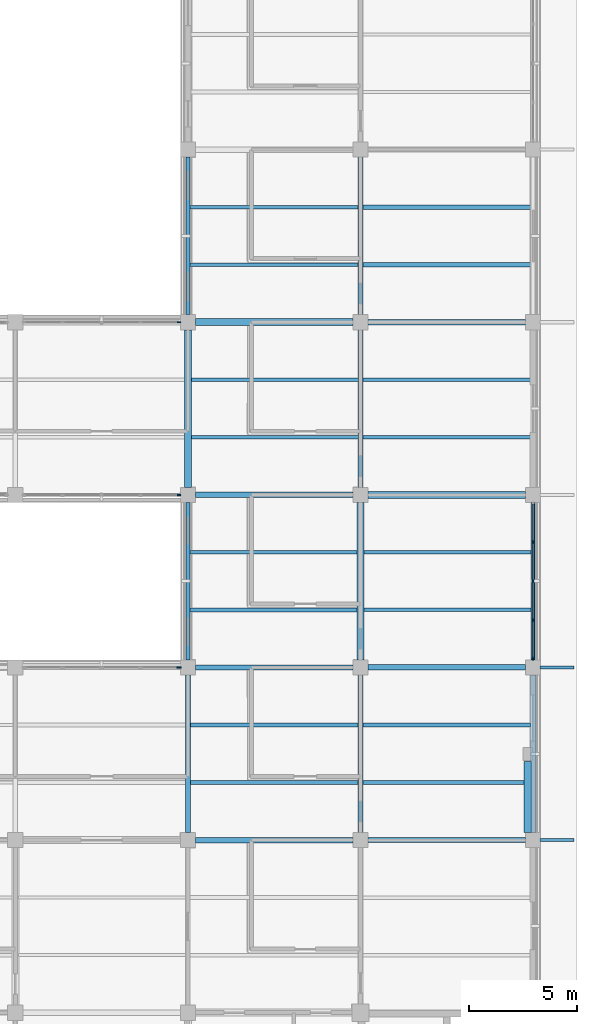
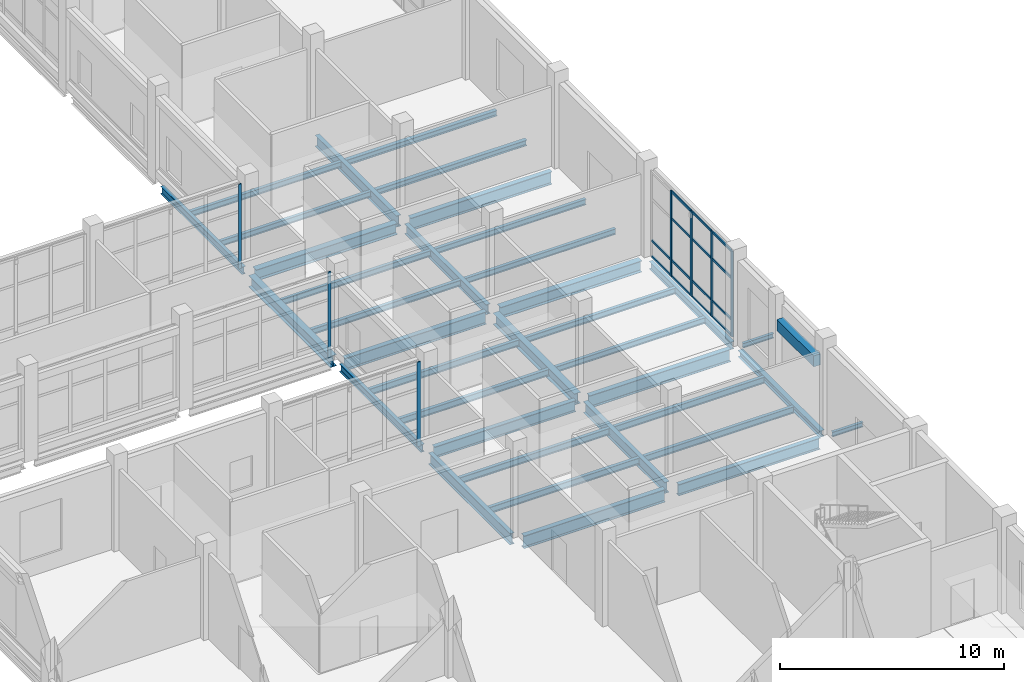
# One storey, part 40 of 105: 37 beams, 21 members, 4 elements without a shape of their own.
"""IFC4 building model written with IfcOpenShell, lengths in metres."""

from ifc_helpers import new_model, si_unit, derived_unit, direction, frame, origin, origin_2d, place, context, subcontext, project, spatial, rectangle, i_section, extrude, material, layer, layer_set, material_profile, profile_set, type_object, element, aggregate, save


model = new_model("IFC4")

# Units and contexts
model_context = context("Model", 3, precision=1e-05, world=origin(), true_north=direction((0.0, 1.0)))
body_context = subcontext(model_context, "Body", "Model", "MODEL_VIEW")
ifc_project = project(units=[si_unit("LENGTHUNIT", "METRE"), si_unit("AREAUNIT", "SQUARE_METRE"), si_unit("VOLUMEUNIT", "CUBIC_METRE"), si_unit("PLANEANGLEUNIT", "RADIAN"), si_unit("MASSUNIT", "GRAM", prefix="KILO"), derived_unit("THERMALTRANSMITTANCEUNIT", [(si_unit("MASSUNIT", "GRAM", prefix="KILO"), 1), (si_unit("TIMEUNIT", "SECOND"), -3), (si_unit("THERMODYNAMICTEMPERATUREUNIT", "KELVIN"), -1)])], contexts=[model_context])

# Site, building, storey
site_placement = place(None, origin())
site = spatial("IfcSite", under=ifc_project, at=site_placement, CompositionType="ELEMENT")
building_placement = place(site_placement, origin())
building = spatial("IfcBuilding", under=site, at=building_placement, Name="Veyamyaing Civic Hall", CompositionType="ELEMENT")
storey_placement = place(building_placement, origin())
storey = spatial("IfcBuildingStorey", under=building, at=storey_placement, Name="L00", CompositionType="ELEMENT", Elevation=0.0)

# Beams
ifc_material_1 = material(Name="Steel ASTM A992", Category="steel")
ifc_material_profile_1 = material_profile(ifc_material_1, i_section(OverallWidth=0.256103515625, OverallDepth=0.693115234375, WebThickness=0.014404296875, FlangeThickness=0.023681640625, FilletRadius=0.013916015625, at=origin_2d()), Name="W690X170")
ifc_profile_set_1 = profile_set([ifc_material_profile_1], Name="Steel ASTM A992")
beam_type_1 = type_object("IfcBeamType", Name="B-04", PredefinedType="BEAM", material=ifc_profile_set_1)
for number, where, z_axis, x_axis, name in (
    (1, (160.35009765625, 32.0, -0.611572265625), (1.0, 0.0, 0.0), (0.0, 1.0, 0.0), "Girder B-04 L00 Grid E 21-22"),
    (2, (168.35009765625, 56.0, -0.611572265625), (1.0, 0.0, 0.0), (0.0, 1.0, 0.0), "Girder B-04 L00 Grid H 22-23"),
):
    element("IfcBeam", number, at=place(storey_placement, frame(where, z_axis=z_axis, x_axis=x_axis)), inside=storey, type_object=beam_type_1, Name=name, PredefinedType="BEAM", context=body_context, shape_type="SweptSolid", body=[
        extrude(i_section(OverallWidth=0.256103515625, OverallDepth=0.693115234375, WebThickness=0.014404296875, FlangeThickness=0.023681640625, FilletRadius=0.013916015625, at=origin_2d()), origin(), (0.0, 0.0, 1.0), 7.2998046875),
    ])
ifc_material_profile_2 = material_profile(ifc_material_1, i_section(OverallWidth=0.22998046875, OverallDepth=0.616943359375, WebThickness=0.01318359375, FlangeThickness=0.022216796875, FilletRadius=0.012939453125, at=origin_2d()), Name="W610X140")
ifc_profile_set_2 = profile_set([ifc_material_profile_2], Name="Steel ASTM A992")
beam_type_2 = type_object("IfcBeamType", Name="B-05", PredefinedType="BEAM", material=ifc_profile_set_2)
for number, where, z_axis, x_axis, name in (
    (3, (168.35009765625, 32.0, -0.573486328125), (1.0, 0.0, 0.0), (0.0, 1.0, 0.0), "Girder B-05 L00 Grid E 22-23"),
    (4, (160.35009765625, 40.0, -0.573486328125), (1.0, 0.0, 0.0), (0.0, 1.0, 0.0), "Girder B-05 L00 Grid F 21-22"),
    (5, (160.0, 32.35009765625, -0.573486328125), (0.0, 1.0, 0.0), (-1.0, 0.0, 0.0), "Girder B-05 L00 Grid 21 E-F"),
    (6, (168.0, 56.35009765625, -0.573486328125), (0.0, 1.0, 0.0), (-1.0, 0.0, 0.0), "Girder B-05 L00 Grid 22 H-J"),
):
    element("IfcBeam", number, at=place(storey_placement, frame(where, z_axis=z_axis, x_axis=x_axis)), inside=storey, type_object=beam_type_2, Name=name, PredefinedType="BEAM", context=body_context, shape_type="SweptSolid", body=[
        extrude(i_section(OverallWidth=0.22998046875, OverallDepth=0.616943359375, WebThickness=0.01318359375, FlangeThickness=0.022216796875, FilletRadius=0.012939453125, at=origin_2d()), origin(), (0.0, 0.0, 1.0), 7.2998046875),
    ])
ifc_material_profile_3 = material_profile(ifc_material_1, i_section(OverallWidth=0.22802734375, OverallDepth=0.60791015625, WebThickness=0.01123046875, FlangeThickness=0.017333984375, FilletRadius=0.012939453125, at=origin_2d()), Name="W610X113")
ifc_profile_set_3 = profile_set([ifc_material_profile_3], Name="Steel ASTM A992")
beam_type_3 = type_object("IfcBeamType", Name="B-06", PredefinedType="BEAM", material=ifc_profile_set_3)
beam_1_placement = place(storey_placement, frame((168.0, 32.35009765625, -0.569091796875), z_axis=(0.0, 1.0, 0.0), x_axis=(-1.0, 0.0, 0.0)))
element("IfcBeam", 7, at=beam_1_placement, inside=storey, type_object=beam_type_3, Name="Girder B-06 L00 Grid 22 E-F", PredefinedType="BEAM", context=body_context, shape_type="SweptSolid", body=[
    extrude(i_section(OverallWidth=0.22802734375, OverallDepth=0.60791015625, WebThickness=0.01123046875, FlangeThickness=0.017333984375, FilletRadius=0.012939453125, at=origin_2d()), origin(), (0.0, 0.0, 1.0), 7.2998046875),
])
ifc_material_profile_4 = material_profile(ifc_material_1, i_section(OverallWidth=0.179931640625, OverallDepth=0.4130859375, WebThickness=0.009765625, FlangeThickness=0.01611328125, FilletRadius=0.010009765625, at=origin_2d()), Name="W410X74")
ifc_profile_set_4 = profile_set([ifc_material_profile_4], Name="Steel ASTM A992")
beam_type_4 = type_object("IfcBeamType", Name="B-10", PredefinedType="SPANDREL", material=ifc_profile_set_4)
for number, where, z_axis, x_axis, name in (
    (8, (160.0, 56.35009765625, -0.471435546875), (0.0, 1.0, 0.0), (-1.0, 0.0, 0.0), "Girder B-10 L00 Grid 21 H-J"),
    (9, (176.0, 40.35009765625, -0.471435546875), (0.0, 1.0, 0.0), (-1.0, 0.0, 0.0), "Girder B-10 L00 Grid 23 F-G"),
):
    element("IfcBeam", number, at=place(storey_placement, frame(where, z_axis=z_axis, x_axis=x_axis)), inside=storey, type_object=beam_type_4, Name=name, PredefinedType="SPANDREL", context=body_context, shape_type="SweptSolid", body=[
        extrude(i_section(OverallWidth=0.179931640625, OverallDepth=0.4130859375, WebThickness=0.009765625, FlangeThickness=0.01611328125, FilletRadius=0.010009765625, at=origin_2d()), origin(), (0.0, 0.0, 1.0), 7.2998046875),
    ])
ifc_material_profile_5 = material_profile(ifc_material_1, i_section(OverallWidth=0.14599609375, OverallDepth=0.258056640625, WebThickness=0.006103515625, FlangeThickness=0.009033203125, FilletRadius=0.010009765625, at=origin_2d()), Name="W250X33")
ifc_profile_set_5 = profile_set([ifc_material_profile_5], Name="Steel ASTM A992")
beam_type_5 = type_object("IfcBeamType", Name="B-12", PredefinedType="BEAM", material=ifc_profile_set_5)
for number, where, z_axis, x_axis, name in (
    (10, (176.320068359375, 32.0, -0.34912109375), (1.0, 0.0, 0.0), (0.0, 1.0, 0.0), "Colonnade deck transverse beam B-12 E.4"),
    (11, (176.320068359375, 40.0, -0.34912109375), (1.0, 0.0, 0.0), (0.0, 1.0, 0.0), "Colonnade deck transverse beam B-12 E.5"),
):
    element("IfcBeam", number, at=place(storey_placement, frame(where, z_axis=z_axis, x_axis=x_axis)), inside=storey, type_object=beam_type_5, Name=name, PredefinedType="BEAM", context=body_context, shape_type="SweptSolid", body=[
        extrude(i_section(OverallWidth=0.14599609375, OverallDepth=0.258056640625, WebThickness=0.006103515625, FlangeThickness=0.009033203125, FilletRadius=0.010009765625, at=origin_2d()), origin(), (0.0, 0.0, 1.0), 1.579833984375),
    ])
ifc_material_profile_6 = material_profile(ifc_material_1, i_section(OverallWidth=0.25390625, OverallDepth=0.68408203125, WebThickness=0.012451171875, FlangeThickness=0.01904296875, FilletRadius=0.013916015625, at=origin_2d()), Name="W690X140")
ifc_profile_set_6 = profile_set([ifc_material_profile_6], Name="Steel ASTM A992")
beam_type_6 = type_object("IfcBeamType", Name="B-14", PredefinedType="BEAM", material=ifc_profile_set_6)
for number, where, z_axis, x_axis, name in (
    (12, (168.35009765625, 40.0, -0.60693359375), (1.0, 0.0, 0.0), (0.0, 1.0, 0.0), "Girder B-14 L00 Grid F 22-23"),
    (13, (160.35009765625, 48.0, -0.60693359375), (1.0, 0.0, 0.0), (0.0, 1.0, 0.0), "Girder B-14 L00 Grid G 21-22"),
):
    element("IfcBeam", number, at=place(storey_placement, frame(where, z_axis=z_axis, x_axis=x_axis)), inside=storey, type_object=beam_type_6, Name=name, PredefinedType="BEAM", context=body_context, shape_type="SweptSolid", body=[
        extrude(i_section(OverallWidth=0.25390625, OverallDepth=0.68408203125, WebThickness=0.012451171875, FlangeThickness=0.01904296875, FilletRadius=0.013916015625, at=origin_2d()), origin(), (0.0, 0.0, 1.0), 7.2998046875),
    ])
ifc_material_profile_7 = material_profile(ifc_material_1, i_section(OverallWidth=0.324951171875, OverallDepth=0.615966796875, WebThickness=0.013916015625, FlangeThickness=0.021484375, FilletRadius=0.013916015625, at=origin_2d()), Name="W610X174")
ifc_profile_set_7 = profile_set([ifc_material_profile_7], Name="Steel ASTM A992")
beam_type_7 = type_object("IfcBeamType", Name="B-15", PredefinedType="BEAM", material=ifc_profile_set_7)
for number, where, z_axis, x_axis, name in (
    (14, (168.35009765625, 48.0, -0.572998046875), (1.0, 0.0, 0.0), (0.0, 1.0, 0.0), "Girder B-15 L00 Grid G 22-23"),
    (15, (160.35009765625, 56.0, -0.572998046875), (1.0, 0.0, 0.0), (0.0, 1.0, 0.0), "Girder B-15 L00 Grid H 21-22"),
    (16, (160.0, 48.35009765625, -0.572998046875), (0.0, 1.0, 0.0), (-1.0, 0.0, 0.0), "Girder B-15 L00 Grid 21 G-H"),
    (17, (168.0, 40.35009765625, -0.572998046875), (0.0, 1.0, 0.0), (-1.0, 0.0, 0.0), "Girder B-15 L00 Grid 22 F-G"),
):
    element("IfcBeam", number, at=place(storey_placement, frame(where, z_axis=z_axis, x_axis=x_axis)), inside=storey, type_object=beam_type_7, Name=name, PredefinedType="BEAM", context=body_context, shape_type="SweptSolid", body=[
        extrude(i_section(OverallWidth=0.324951171875, OverallDepth=0.615966796875, WebThickness=0.013916015625, FlangeThickness=0.021484375, FilletRadius=0.013916015625, at=origin_2d()), origin(), (0.0, 0.0, 1.0), 7.2998046875),
    ])
ifc_material_profile_8 = material_profile(ifc_material_1, i_section(OverallWidth=0.214111328125, OverallDepth=0.549072265625, WebThickness=0.0146484375, FlangeThickness=0.023681640625, FilletRadius=0.011962890625, at=origin_2d()), Name="W530X138")
ifc_profile_set_8 = profile_set([ifc_material_profile_8], Name="Steel ASTM A992")
beam_type_8 = type_object("IfcBeamType", Name="B-16", PredefinedType="BEAM", material=ifc_profile_set_8)
beam_2_placement = place(storey_placement, frame((168.0, 48.35009765625, -0.53955078125), z_axis=(0.0, 1.0, 0.0), x_axis=(-1.0, 0.0, 0.0)))
element("IfcBeam", 18, at=beam_2_placement, inside=storey, type_object=beam_type_8, Name="Girder B-16 L00 Grid 22 G-H", PredefinedType="BEAM", context=body_context, shape_type="SweptSolid", body=[
    extrude(i_section(OverallWidth=0.214111328125, OverallDepth=0.549072265625, WebThickness=0.0146484375, FlangeThickness=0.023681640625, FilletRadius=0.011962890625, at=origin_2d()), origin(), (0.0, 0.0, 1.0), 7.2998046875),
])
ifc_material_profile_9 = material_profile(ifc_material_1, i_section(OverallWidth=0.180908203125, OverallDepth=0.4169921875, WebThickness=0.010986328125, FlangeThickness=0.018310546875, FilletRadius=0.010009765625, at=origin_2d()), Name="W410X85")
ifc_profile_set_9 = profile_set([ifc_material_profile_9], Name="Steel ASTM A992")
beam_type_9 = type_object("IfcBeamType", Name="B-19", PredefinedType="SPANDREL", material=ifc_profile_set_9)
beam_3_placement = place(storey_placement, frame((160.0, 40.35009765625, -0.473388671875), z_axis=(0.0, 1.0, 0.0), x_axis=(-1.0, 0.0, 0.0)))
element("IfcBeam", 19, at=beam_3_placement, inside=storey, type_object=beam_type_9, Name="Girder B-19 L00 Grid 21 F-G", PredefinedType="SPANDREL", context=body_context, shape_type="SweptSolid", body=[
    extrude(i_section(OverallWidth=0.180908203125, OverallDepth=0.4169921875, WebThickness=0.010986328125, FlangeThickness=0.018310546875, FilletRadius=0.010009765625, at=origin_2d()), origin(), (0.0, 0.0, 1.0), 7.2998046875),
])
ifc_material_profile_10 = material_profile(ifc_material_1, i_section(OverallWidth=0.25390625, OverallDepth=0.35302734375, WebThickness=0.009521484375, FlangeThickness=0.016357421875, FilletRadius=0.011962890625, at=origin_2d()), Name="W360X91")
ifc_profile_set_10 = profile_set([ifc_material_profile_10], Name="Steel ASTM A992")
beam_type_10 = type_object("IfcBeamType", Name="B-20", PredefinedType="SPANDREL", material=ifc_profile_set_10)
beam_4_placement = place(storey_placement, frame((176.0, 32.35009765625, -0.44140625), z_axis=(0.0, 1.0, 0.0), x_axis=(-1.0, 0.0, 0.0)))
element("IfcBeam", 20, at=beam_4_placement, inside=storey, type_object=beam_type_10, Name="Girder B-20 L00 Grid 23 E-F", PredefinedType="SPANDREL", context=body_context, shape_type="SweptSolid", body=[
    extrude(i_section(OverallWidth=0.25390625, OverallDepth=0.35302734375, WebThickness=0.009521484375, FlangeThickness=0.016357421875, FilletRadius=0.011962890625, at=origin_2d()), origin(), (0.0, 0.0, 1.0), 7.2998046875),
])

# Curtain wall, member
ifc_material_2 = material(Name="Anodised aluminium 6063-T6", Category="aluminium")
ifc_layer_1 = layer(ifc_material_2, 0.159912109375, Name="Anodised aluminium 6063-T6")
ifc_layer_set_1 = layer_set([ifc_layer_1], Name="Anodised aluminium 6063-T6")
curtain_wall_type_1 = type_object("IfcCurtainWallType", Name="CW-01", PredefinedType="NOTDEFINED", material=ifc_layer_set_1)
curtain_wall_1_placement = place(storey_placement, origin())
curtain_wall_1 = element("IfcCurtainWall", 21, at=curtain_wall_1_placement, inside=storey, type_object=curtain_wall_type_1, Name="Unitized curtain wall CW-01 L00 S 20.7", PredefinedType="NOTDEFINED")
ifc_material_profile_11 = material_profile(ifc_material_2, rectangle(XDim=0.06494140625, YDim=0.159912109375, at=origin_2d()), Name="ALU-MUL-65X160")
ifc_profile_set_11 = profile_set([ifc_material_profile_11], Name="Anodised aluminium 6063-T6")
member_type_1 = type_object("IfcMemberType", Name="CWM-01", PredefinedType="MULLION", material=ifc_profile_set_11)
member_1_placement = place(storey_placement, frame((159.58740234375, 48.0, 0.0), z_axis=(0.0, 0.0, 1.0), x_axis=(0.0, 1.0, 0.0)))
member_1 = element("IfcMember", 22, at=member_1_placement, type_object=member_type_1, Name="CW-01 mullion 5", PredefinedType="MULLION", context=body_context, shape_type="SweptSolid", body=[
    extrude(rectangle(XDim=0.06494140625, YDim=0.159912109375, at=origin_2d()), origin(), (0.0, 0.0, 1.0), 4.674072265625),
])
aggregate(curtain_wall_1, [member_1])

curtain_wall_2_placement = place(storey_placement, origin())
curtain_wall_2 = element("IfcCurtainWall", 23, at=curtain_wall_2_placement, inside=storey, type_object=curtain_wall_type_1, Name="Unitized curtain wall CW-01 L00 N 20.7", PredefinedType="NOTDEFINED")
member_2_placement = place(storey_placement, frame((159.58740234375, 56.0, 0.0), z_axis=(0.0, 0.0, 1.0), x_axis=(0.0, 1.0, 0.0)))
member_2 = element("IfcMember", 24, at=member_2_placement, type_object=member_type_1, Name="CW-01 mullion 5", PredefinedType="MULLION", context=body_context, shape_type="SweptSolid", body=[
    extrude(rectangle(XDim=0.06494140625, YDim=0.159912109375, at=origin_2d()), origin(), (0.0, 0.0, 1.0), 4.614013671875),
])
aggregate(curtain_wall_2, [member_2])

# Curtain wall, members
curtain_wall_3_placement = place(storey_placement, origin())
curtain_wall_3 = element("IfcCurtainWall", 25, at=curtain_wall_3_placement, inside=storey, type_object=curtain_wall_type_1, Name="Unitized curtain wall CW-01 L00 E 22.6", PredefinedType="NOTDEFINED")
member_3_placement = place(storey_placement, frame((176.0, 40.41259765625, 0.0), z_axis=(0.0, 0.0, 1.0), x_axis=(-1.0, 0.0, 0.0)))
member_3 = element("IfcMember", 26, at=member_3_placement, type_object=member_type_1, Name="CW-01 mullion 1", PredefinedType="MULLION", context=body_context, shape_type="SweptSolid", body=[
    extrude(rectangle(XDim=0.06494140625, YDim=0.159912109375, at=origin_2d()), origin(), (0.0, 0.0, 1.0), 4.677001953125),
])
member_4_placement = place(storey_placement, frame((176.0, 42.18994140625, 0.0), z_axis=(0.0, 0.0, 1.0), x_axis=(-1.0, 0.0, 0.0)))
member_4 = element("IfcMember", 27, at=member_4_placement, type_object=member_type_1, Name="CW-01 mullion 2", PredefinedType="MULLION", context=body_context, shape_type="SweptSolid", body=[
    extrude(rectangle(XDim=0.06494140625, YDim=0.159912109375, at=origin_2d()), origin(), (0.0, 0.0, 1.0), 4.677001953125),
])
member_5_placement = place(storey_placement, frame((176.0, 44.0, 0.0), z_axis=(0.0, 0.0, 1.0), x_axis=(-1.0, 0.0, 0.0)))
member_5 = element("IfcMember", 28, at=member_5_placement, type_object=member_type_1, Name="CW-01 mullion 3", PredefinedType="MULLION", context=body_context, shape_type="SweptSolid", body=[
    extrude(rectangle(XDim=0.06494140625, YDim=0.159912109375, at=origin_2d()), origin(), (0.0, 0.0, 1.0), 4.677001953125),
])
member_6_placement = place(storey_placement, frame((176.0, 45.81005859375, 0.0), z_axis=(0.0, 0.0, 1.0), x_axis=(-1.0, 0.0, 0.0)))
member_6 = element("IfcMember", 29, at=member_6_placement, type_object=member_type_1, Name="CW-01 mullion 4", PredefinedType="MULLION", context=body_context, shape_type="SweptSolid", body=[
    extrude(rectangle(XDim=0.06494140625, YDim=0.159912109375, at=origin_2d()), origin(), (0.0, 0.0, 1.0), 4.677001953125),
])

# Curtain wall, member
ifc_layer_2 = layer(ifc_material_2, 0.199951171875, Name="Anodised aluminium 6063-T6")
ifc_layer_set_2 = layer_set([ifc_layer_2], Name="Anodised aluminium 6063-T6")
curtain_wall_type_2 = type_object("IfcCurtainWallType", Name="CW-10", PredefinedType="NOTDEFINED", material=ifc_layer_set_2)
curtain_wall_4_placement = place(storey_placement, origin())
curtain_wall_4 = element("IfcCurtainWall", 30, at=curtain_wall_4_placement, inside=storey, type_object=curtain_wall_type_2, Name="Unitized curtain wall CW-10 L00 N 20.5", PredefinedType="NOTDEFINED")
ifc_material_profile_12 = material_profile(ifc_material_2, rectangle(XDim=0.070068359375, YDim=0.199951171875, at=origin_2d()), Name="ALU-MUL-70X200")
ifc_profile_set_12 = profile_set([ifc_material_profile_12], Name="Anodised aluminium 6063-T6")
member_type_2 = type_object("IfcMemberType", Name="CWM-04", PredefinedType="MULLION", material=ifc_profile_set_12)
member_7_placement = place(storey_placement, frame((159.5849609375, 40.0, 0.0), z_axis=(0.0, 0.0, 1.0), x_axis=(0.0, 1.0, 0.0)))
member_7 = element("IfcMember", 31, at=member_7_placement, type_object=member_type_2, Name="CW-10 mullion 5", PredefinedType="MULLION", context=body_context, shape_type="SweptSolid", body=[
    extrude(rectangle(XDim=0.070068359375, YDim=0.199951171875, at=origin_2d()), origin(), (0.0, 0.0, 1.0), 4.610107421875),
])
aggregate(curtain_wall_4, [member_7])

# Member
ifc_material_profile_13 = material_profile(ifc_material_2, rectangle(XDim=0.06494140625, YDim=0.1201171875, at=origin_2d()), Name="ALU-TRN-65X120")
ifc_profile_set_13 = profile_set([ifc_material_profile_13], Name="Anodised aluminium 6063-T6")
member_type_3 = type_object("IfcMemberType", Name="CWT-01", PredefinedType="USERDEFINED", material=ifc_profile_set_13)
member_8_placement = place(storey_placement, frame((176.0, 40.445068359375, 0.032470703125), z_axis=(0.0, 1.0, 0.0), x_axis=(-1.0, 0.0, 0.0)))
member_8 = element("IfcMember", 32, at=member_8_placement, type_object=member_type_3, Name="CW-01 transom 1.1", ObjectType="TRANSOM", PredefinedType="USERDEFINED", context=body_context, shape_type="SweptSolid", body=[
    extrude(rectangle(XDim=0.06494140625, YDim=0.1201171875, at=origin_2d()), origin(), (0.0, 0.0, 1.0), 1.71240234375),
])

member_9_placement = place(storey_placement, frame((176.0, 40.445068359375, 0.89990234375), z_axis=(0.0, 1.0, 0.0), x_axis=(-1.0, 0.0, 0.0)))
member_9 = element("IfcMember", 33, at=member_9_placement, type_object=member_type_3, Name="CW-01 transom 1.2", ObjectType="TRANSOM", PredefinedType="USERDEFINED", context=body_context, shape_type="SweptSolid", body=[
    extrude(rectangle(XDim=0.06494140625, YDim=0.1201171875, at=origin_2d()), origin(), (0.0, 0.0, 1.0), 1.71240234375),
])

member_10_placement = place(storey_placement, frame((176.0, 40.445068359375, 3.180419921875), z_axis=(0.0, 1.0, 0.0), x_axis=(-1.0, 0.0, 0.0)))
member_10 = element("IfcMember", 34, at=member_10_placement, type_object=member_type_3, Name="CW-01 transom 1.3", ObjectType="TRANSOM", PredefinedType="USERDEFINED", context=body_context, shape_type="SweptSolid", body=[
    extrude(rectangle(XDim=0.06494140625, YDim=0.1201171875, at=origin_2d()), origin(), (0.0, 0.0, 1.0), 1.71240234375),
])

member_11_placement = place(storey_placement, frame((176.0, 40.445068359375, 4.64453125), z_axis=(0.0, 1.0, 0.0), x_axis=(-1.0, 0.0, 0.0)))
member_11 = element("IfcMember", 35, at=member_11_placement, type_object=member_type_3, Name="CW-01 transom 1.4", ObjectType="TRANSOM", PredefinedType="USERDEFINED", context=body_context, shape_type="SweptSolid", body=[
    extrude(rectangle(XDim=0.06494140625, YDim=0.1201171875, at=origin_2d()), origin(), (0.0, 0.0, 1.0), 1.71240234375),
])

member_12_placement = place(storey_placement, frame((176.0, 42.222412109375, 0.032470703125), z_axis=(0.0, 1.0, 0.0), x_axis=(-1.0, 0.0, 0.0)))
member_12 = element("IfcMember", 36, at=member_12_placement, type_object=member_type_3, Name="CW-01 transom 2.1", ObjectType="TRANSOM", PredefinedType="USERDEFINED", context=body_context, shape_type="SweptSolid", body=[
    extrude(rectangle(XDim=0.06494140625, YDim=0.1201171875, at=origin_2d()), origin(), (0.0, 0.0, 1.0), 1.7451171875),
])

member_13_placement = place(storey_placement, frame((176.0, 42.222412109375, 0.89990234375), z_axis=(0.0, 1.0, 0.0), x_axis=(-1.0, 0.0, 0.0)))
member_13 = element("IfcMember", 37, at=member_13_placement, type_object=member_type_3, Name="CW-01 transom 2.2", ObjectType="TRANSOM", PredefinedType="USERDEFINED", context=body_context, shape_type="SweptSolid", body=[
    extrude(rectangle(XDim=0.06494140625, YDim=0.1201171875, at=origin_2d()), origin(), (0.0, 0.0, 1.0), 1.7451171875),
])

member_14_placement = place(storey_placement, frame((176.0, 42.222412109375, 3.180419921875), z_axis=(0.0, 1.0, 0.0), x_axis=(-1.0, 0.0, 0.0)))
member_14 = element("IfcMember", 38, at=member_14_placement, type_object=member_type_3, Name="CW-01 transom 2.3", ObjectType="TRANSOM", PredefinedType="USERDEFINED", context=body_context, shape_type="SweptSolid", body=[
    extrude(rectangle(XDim=0.06494140625, YDim=0.1201171875, at=origin_2d()), origin(), (0.0, 0.0, 1.0), 1.7451171875),
])

member_15_placement = place(storey_placement, frame((176.0, 42.222412109375, 4.64453125), z_axis=(0.0, 1.0, 0.0), x_axis=(-1.0, 0.0, 0.0)))
member_15 = element("IfcMember", 39, at=member_15_placement, type_object=member_type_3, Name="CW-01 transom 2.4", ObjectType="TRANSOM", PredefinedType="USERDEFINED", context=body_context, shape_type="SweptSolid", body=[
    extrude(rectangle(XDim=0.06494140625, YDim=0.1201171875, at=origin_2d()), origin(), (0.0, 0.0, 1.0), 1.7451171875),
])

member_16_placement = place(storey_placement, frame((176.0, 44.032470703125, 0.032470703125), z_axis=(0.0, 1.0, 0.0), x_axis=(-1.0, 0.0, 0.0)))
member_16 = element("IfcMember", 40, at=member_16_placement, type_object=member_type_3, Name="CW-01 transom 3.1", ObjectType="TRANSOM", PredefinedType="USERDEFINED", context=body_context, shape_type="SweptSolid", body=[
    extrude(rectangle(XDim=0.06494140625, YDim=0.1201171875, at=origin_2d()), origin(), (0.0, 0.0, 1.0), 1.7451171875),
])

member_17_placement = place(storey_placement, frame((176.0, 44.032470703125, 0.89990234375), z_axis=(0.0, 1.0, 0.0), x_axis=(-1.0, 0.0, 0.0)))
member_17 = element("IfcMember", 41, at=member_17_placement, type_object=member_type_3, Name="CW-01 transom 3.2", ObjectType="TRANSOM", PredefinedType="USERDEFINED", context=body_context, shape_type="SweptSolid", body=[
    extrude(rectangle(XDim=0.06494140625, YDim=0.1201171875, at=origin_2d()), origin(), (0.0, 0.0, 1.0), 1.7451171875),
])

member_18_placement = place(storey_placement, frame((176.0, 44.032470703125, 3.180419921875), z_axis=(0.0, 1.0, 0.0), x_axis=(-1.0, 0.0, 0.0)))
member_18 = element("IfcMember", 42, at=member_18_placement, type_object=member_type_3, Name="CW-01 transom 3.3", ObjectType="TRANSOM", PredefinedType="USERDEFINED", context=body_context, shape_type="SweptSolid", body=[
    extrude(rectangle(XDim=0.06494140625, YDim=0.1201171875, at=origin_2d()), origin(), (0.0, 0.0, 1.0), 1.7451171875),
])

member_19_placement = place(storey_placement, frame((176.0, 44.032470703125, 4.64453125), z_axis=(0.0, 1.0, 0.0), x_axis=(-1.0, 0.0, 0.0)))
member_19 = element("IfcMember", 43, at=member_19_placement, type_object=member_type_3, Name="CW-01 transom 3.4", ObjectType="TRANSOM", PredefinedType="USERDEFINED", context=body_context, shape_type="SweptSolid", body=[
    extrude(rectangle(XDim=0.06494140625, YDim=0.1201171875, at=origin_2d()), origin(), (0.0, 0.0, 1.0), 1.7451171875),
])

member_20_placement = place(storey_placement, frame((176.0, 45.842529296875, 0.032470703125), z_axis=(0.0, 1.0, 0.0), x_axis=(-1.0, 0.0, 0.0)))
member_20 = element("IfcMember", 44, at=member_20_placement, type_object=member_type_3, Name="CW-01 transom 4.1", ObjectType="TRANSOM", PredefinedType="USERDEFINED", context=body_context, shape_type="SweptSolid", body=[
    extrude(rectangle(XDim=0.06494140625, YDim=0.1201171875, at=origin_2d()), origin(), (0.0, 0.0, 1.0), 1.71240234375),
])

member_21_placement = place(storey_placement, frame((176.0, 45.842529296875, 0.89990234375), z_axis=(0.0, 1.0, 0.0), x_axis=(-1.0, 0.0, 0.0)))
member_21 = element("IfcMember", 45, at=member_21_placement, type_object=member_type_3, Name="CW-01 transom 4.2", ObjectType="TRANSOM", PredefinedType="USERDEFINED", context=body_context, shape_type="SweptSolid", body=[
    extrude(rectangle(XDim=0.06494140625, YDim=0.1201171875, at=origin_2d()), origin(), (0.0, 0.0, 1.0), 1.71240234375),
])

aggregate(curtain_wall_3, [member_3, member_4, member_5, member_6, member_8, member_9, member_10, member_11, member_12, member_13, member_14, member_15, member_16, member_17, member_18, member_19, member_20, member_21])

# Beams
ifc_material_profile_14 = material_profile(ifc_material_1, i_section(OverallWidth=0.172119140625, OverallDepth=0.35791015625, WebThickness=0.0078125, FlangeThickness=0.01318359375, FilletRadius=0.010009765625, at=origin_2d()), Name="W360X57")
ifc_profile_set_14 = profile_set([ifc_material_profile_14], Name="Steel ASTM A992")
beam_type_11 = type_object("IfcBeamType", Name="J-02", PredefinedType="JOIST", material=ifc_profile_set_14)
for number, where, z_axis, x_axis, name in (
    (46, (160.113037109375, 34.666748046875, -0.444091796875), (1.0, 0.0, 0.0), (0.0, 1.0, 0.0), "Composite floor joist J-02 L00 21.5.1"),
    (47, (160.113037109375, 37.333251953125, -0.444091796875), (1.0, 0.0, 0.0), (0.0, 1.0, 0.0), "Composite floor joist J-02 L00 21.5.2"),
):
    element("IfcBeam", number, at=place(storey_placement, frame(where, z_axis=z_axis, x_axis=x_axis)), inside=storey, type_object=beam_type_11, Name=name, PredefinedType="JOIST", context=body_context, shape_type="SweptSolid", body=[
        extrude(i_section(OverallWidth=0.172119140625, OverallDepth=0.35791015625, WebThickness=0.0078125, FlangeThickness=0.01318359375, FilletRadius=0.010009765625, at=origin_2d()), origin(), (0.0, 0.0, 1.0), 7.77490234375),
    ])
ifc_material_profile_15 = material_profile(ifc_material_1, i_section(OverallWidth=0.1708984375, OverallDepth=0.35205078125, WebThickness=0.0068359375, FlangeThickness=0.009765625, FilletRadius=0.010009765625, at=origin_2d()), Name="W360X44")
ifc_profile_set_15 = profile_set([ifc_material_profile_15], Name="Steel ASTM A992")
beam_type_12 = type_object("IfcBeamType", Name="J-03", PredefinedType="JOIST", material=ifc_profile_set_15)
for number, where, z_axis, x_axis, name in (
    (48, (160.08837890625, 42.666748046875, -0.44091796875), (1.0, 0.0, 0.0), (0.0, 1.0, 0.0), "Composite floor joist J-03 L00 21.6.1"),
    (49, (160.08837890625, 45.333251953125, -0.44091796875), (1.0, 0.0, 0.0), (0.0, 1.0, 0.0), "Composite floor joist J-03 L00 21.6.2"),
):
    element("IfcBeam", number, at=place(storey_placement, frame(where, z_axis=z_axis, x_axis=x_axis)), inside=storey, type_object=beam_type_12, Name=name, PredefinedType="JOIST", context=body_context, shape_type="SweptSolid", body=[
        extrude(i_section(OverallWidth=0.1708984375, OverallDepth=0.35205078125, WebThickness=0.0068359375, FlangeThickness=0.009765625, FilletRadius=0.010009765625, at=origin_2d()), origin(), (0.0, 0.0, 1.0), 7.751220703125),
    ])
for number, where, z_axis, x_axis, name in (
    (50, (168.112060546875, 34.666748046875, -0.44091796875), (1.0, 0.0, 0.0), (0.0, 1.0, 0.0), "Composite floor joist J-03 L00 22.5.1"),
    (51, (168.112060546875, 37.333251953125, -0.44091796875), (1.0, 0.0, 0.0), (0.0, 1.0, 0.0), "Composite floor joist J-03 L00 22.5.2"),
):
    element("IfcBeam", number, at=place(storey_placement, frame(where, z_axis=z_axis, x_axis=x_axis)), inside=storey, type_object=beam_type_12, Name=name, PredefinedType="JOIST", context=body_context, shape_type="SweptSolid", body=[
        extrude(i_section(OverallWidth=0.1708984375, OverallDepth=0.35205078125, WebThickness=0.0068359375, FlangeThickness=0.009765625, FilletRadius=0.010009765625, at=origin_2d()), origin(), (0.0, 0.0, 1.0), 7.762939453125),
    ])
ifc_material_profile_16 = material_profile(ifc_material_1, i_section(OverallWidth=0.1669921875, OverallDepth=0.318115234375, WebThickness=0.007568359375, FlangeThickness=0.01318359375, FilletRadius=0.010009765625, at=origin_2d()), Name="W310X52")
ifc_profile_set_16 = profile_set([ifc_material_profile_16], Name="Steel ASTM A992")
beam_type_13 = type_object("IfcBeamType", Name="J-04", PredefinedType="JOIST", material=ifc_profile_set_16)
for number, where, z_axis, x_axis, name in (
    (52, (160.160400390625, 50.666748046875, -0.424072265625), (1.0, 0.0, 0.0), (0.0, 1.0, 0.0), "Composite floor joist J-04 L00 21.7.1"),
    (53, (160.160400390625, 53.333251953125, -0.424072265625), (1.0, 0.0, 0.0), (0.0, 1.0, 0.0), "Composite floor joist J-04 L00 21.7.2"),
):
    element("IfcBeam", number, at=place(storey_placement, frame(where, z_axis=z_axis, x_axis=x_axis)), inside=storey, type_object=beam_type_13, Name=name, PredefinedType="JOIST", context=body_context, shape_type="SweptSolid", body=[
        extrude(i_section(OverallWidth=0.1669921875, OverallDepth=0.318115234375, WebThickness=0.007568359375, FlangeThickness=0.01318359375, FilletRadius=0.010009765625, at=origin_2d()), origin(), (0.0, 0.0, 1.0), 7.734619140625),
    ])
for number, where, z_axis, x_axis, name in (
    (54, (168.160400390625, 42.666748046875, -0.424072265625), (1.0, 0.0, 0.0), (0.0, 1.0, 0.0), "Composite floor joist J-04 L00 22.6.1"),
    (55, (168.160400390625, 45.333251953125, -0.424072265625), (1.0, 0.0, 0.0), (0.0, 1.0, 0.0), "Composite floor joist J-04 L00 22.6.2"),
):
    element("IfcBeam", number, at=place(storey_placement, frame(where, z_axis=z_axis, x_axis=x_axis)), inside=storey, type_object=beam_type_13, Name=name, PredefinedType="JOIST", context=body_context, shape_type="SweptSolid", body=[
        extrude(i_section(OverallWidth=0.1669921875, OverallDepth=0.318115234375, WebThickness=0.007568359375, FlangeThickness=0.01318359375, FilletRadius=0.010009765625, at=origin_2d()), origin(), (0.0, 0.0, 1.0), 7.751708984375),
    ])
ifc_material_profile_17 = material_profile(ifc_material_1, i_section(OverallWidth=0.1650390625, OverallDepth=0.31005859375, WebThickness=0.005859375, FlangeThickness=0.009765625, FilletRadius=0.010009765625, at=origin_2d()), Name="W310X39")
ifc_profile_set_17 = profile_set([ifc_material_profile_17], Name="Steel ASTM A992")
beam_type_14 = type_object("IfcBeamType", Name="J-05", PredefinedType="JOIST", material=ifc_profile_set_17)
for number, where, z_axis, x_axis, name in (
    (56, (160.087890625, 58.666748046875, -0.419921875), (1.0, 0.0, 0.0), (0.0, 1.0, 0.0), "Composite floor joist J-05 L00 21.8.1"),
    (57, (160.087890625, 61.333251953125, -0.419921875), (1.0, 0.0, 0.0), (0.0, 1.0, 0.0), "Composite floor joist J-05 L00 21.8.2"),
):
    element("IfcBeam", number, at=place(storey_placement, frame(where, z_axis=z_axis, x_axis=x_axis)), inside=storey, type_object=beam_type_14, Name=name, PredefinedType="JOIST", context=body_context, shape_type="SweptSolid", body=[
        extrude(i_section(OverallWidth=0.1650390625, OverallDepth=0.31005859375, WebThickness=0.005859375, FlangeThickness=0.009765625, FilletRadius=0.010009765625, at=origin_2d()), origin(), (0.0, 0.0, 1.0), 7.799072265625),
    ])
for number, where, z_axis, x_axis, name in (
    (58, (168.10498046875, 50.666748046875, -0.419921875), (1.0, 0.0, 0.0), (0.0, 1.0, 0.0), "Composite floor joist J-05 L00 22.7.1"),
    (59, (168.10498046875, 53.333251953125, -0.419921875), (1.0, 0.0, 0.0), (0.0, 1.0, 0.0), "Composite floor joist J-05 L00 22.7.2"),
):
    element("IfcBeam", number, at=place(storey_placement, frame(where, z_axis=z_axis, x_axis=x_axis)), inside=storey, type_object=beam_type_14, Name=name, PredefinedType="JOIST", context=body_context, shape_type="SweptSolid", body=[
        extrude(i_section(OverallWidth=0.1650390625, OverallDepth=0.31005859375, WebThickness=0.005859375, FlangeThickness=0.009765625, FilletRadius=0.010009765625, at=origin_2d()), origin(), (0.0, 0.0, 1.0), 7.794921875),
    ])
ifc_material_profile_18 = material_profile(ifc_material_1, i_section(OverallWidth=0.2041015625, OverallDepth=0.305908203125, WebThickness=0.008544921875, FlangeThickness=0.0146484375, FilletRadius=0.010009765625, at=origin_2d()), Name="W310X67")
ifc_profile_set_18 = profile_set([ifc_material_profile_18], Name="Steel ASTM A992")
beam_type_15 = type_object("IfcBeamType", Name="J-06", PredefinedType="JOIST", material=ifc_profile_set_18)
for number, where, z_axis, x_axis, name in (
    (60, (168.113037109375, 58.666748046875, -0.41796875), (1.0, 0.0, 0.0), (0.0, 1.0, 0.0), "Composite floor joist J-06 L00 22.8.1"),
    (61, (168.113037109375, 61.333251953125, -0.41796875), (1.0, 0.0, 0.0), (0.0, 1.0, 0.0), "Composite floor joist J-06 L00 22.8.2"),
):
    element("IfcBeam", number, at=place(storey_placement, frame(where, z_axis=z_axis, x_axis=x_axis)), inside=storey, type_object=beam_type_15, Name=name, PredefinedType="JOIST", context=body_context, shape_type="SweptSolid", body=[
        extrude(i_section(OverallWidth=0.2041015625, OverallDepth=0.305908203125, WebThickness=0.008544921875, FlangeThickness=0.0146484375, FilletRadius=0.010009765625, at=origin_2d()), origin(), (0.0, 0.0, 1.0), 7.798583984375),
    ])
ifc_material_3 = material(Name="Precast concrete C40/50", Category="concrete")
ifc_material_profile_19 = material_profile(ifc_material_3, rectangle(XDim=0.35009765625, YDim=0.60009765625, at=origin_2d()), Name="RC-LINT-350X600")
ifc_profile_set_19 = profile_set([ifc_material_profile_19], Name="Precast concrete C40/50")
beam_type_16 = type_object("IfcBeamType", Name="LN-02", PredefinedType="LINTEL", material=ifc_profile_set_19)
beam_5_placement = place(storey_placement, frame((175.75, 32.35009765625, 3.64990234375), z_axis=(0.0, 1.0, 0.0), x_axis=(-1.0, 0.0, 0.0)))
element("IfcBeam", 62, at=beam_5_placement, inside=storey, type_object=beam_type_16, Name="Riwaq Arcade Precast Lintel LN-02 PIL-E-04", PredefinedType="LINTEL", context=body_context, shape_type="SweptSolid", body=[
    extrude(rectangle(XDim=0.35009765625, YDim=0.60009765625, at=origin_2d()), origin(), (0.0, 0.0, 1.0), 3.2998046875),
])

save(model, "model.ifc")
